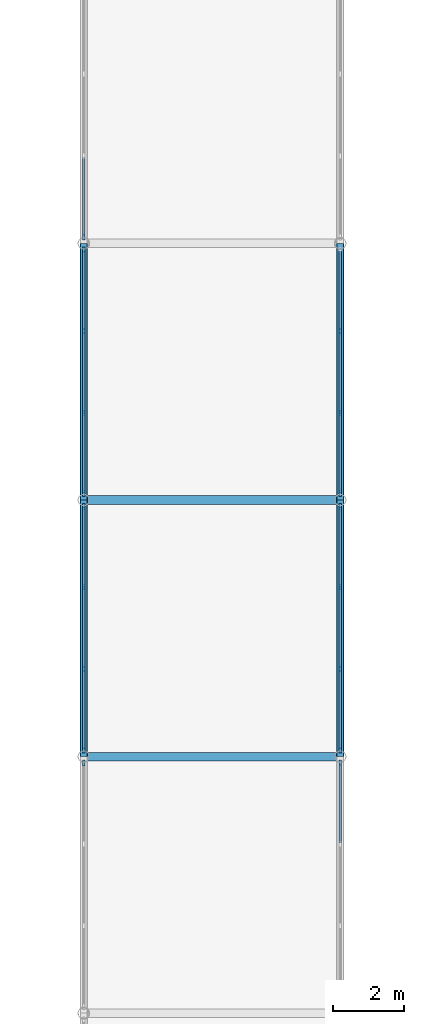
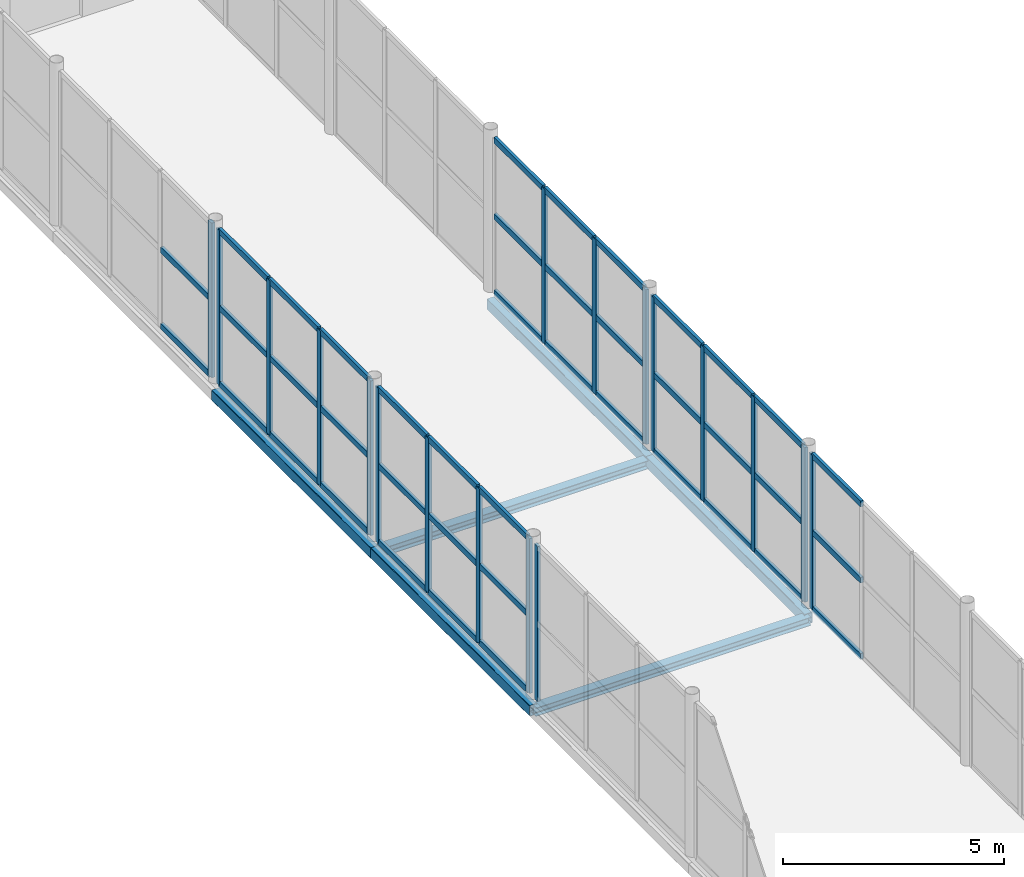
# One storey, part 36 of 92: 59 members, 6 beams, 7 elements without a shape of their own.
"""IFC4 building model written with IfcOpenShell, lengths in metres."""

import ifcopenshell
import ifcopenshell.guid

model = None  # the IFC model being written
_history = None  # IfcOwnerHistory: only IFC2X3 demands one
_inside = {}  # id of a spatial element -> (the spatial element, [elements in it])
_under = {}  # id of a project, library or spatial element -> (it, [spatial elements below it])
_declared = {}  # id of a project -> (the project, [libraries it declares])
_typed = {}  # id of a type object -> (the type object, [elements of that type])
_made_of = {}  # id of a material, layer set ... -> (it, [elements and type objects made of it])


def new_model(schema):
    """Start an empty IFC model of exactly this schema.

    Asked for "IFC4X3", IfcOpenShell would pick the latest addendum, in which some entities
    have other attributes; the version numbers below select the first issue.
    IFC2X3 requires an IfcOwnerHistory on every rooted entity: one is made here for all.
    """
    global model, _history
    if schema == "IFC4X3":
        model = ifcopenshell.file(schema_version=(4, 3, 0, 0))
    else:
        model = ifcopenshell.file(schema=schema)
    _inside.clear()
    _under.clear()
    _declared.clear()
    _typed.clear()
    _made_of.clear()
    _history = None
    if model.schema == "IFC2X3":
        org = make("IfcOrganization", Name="unknown")
        user = make(
            "IfcPersonAndOrganization",
            ThePerson=make("IfcPerson", FamilyName="unknown"),
            TheOrganization=org,
        )
        app = make(
            "IfcApplication",
            ApplicationDeveloper=org,
            Version="unknown",
            ApplicationFullName="unknown",
            ApplicationIdentifier="unknown",
        )
        _history = make(
            "IfcOwnerHistory",
            OwningUser=user,
            OwningApplication=app,
            ChangeAction="ADDED",
            CreationDate=0,
        )
    return model


def make(cls, **values):
    """One entity of the class cls with the attributes given. An attribute that is None is left unset."""
    return model.create_entity(
        cls, **{name: value for name, value in values.items() if value is not None}
    )


def rooted(cls, **values):
    """An entity with a GlobalId (a new one), such as an element, a storey or a relation."""
    return make(cls, GlobalId=ifcopenshell.guid.new(), OwnerHistory=_history, **values)


def si_unit(unit_type, name, prefix=None):
    """IfcSIUnit, for example si_unit("LENGTHUNIT", "METRE", prefix="MILLI")."""
    return make("IfcSIUnit", UnitType=unit_type, Prefix=prefix, Name=name)


def assignment(units):
    """IfcUnitAssignment: the units of a project."""
    return None if units is None else make("IfcUnitAssignment", Units=units)


def point(xyz):
    """IfcCartesianPoint."""
    return None if xyz is None else make("IfcCartesianPoint", Coordinates=xyz)


def direction(xyz):
    """IfcDirection."""
    return None if xyz is None else make("IfcDirection", DirectionRatios=xyz)


def frame(location, z_axis=None, x_axis=None):
    """IfcAxis2Placement3D, a coordinate frame: its origin and axes. An axis left out is left unset."""
    return make(
        "IfcAxis2Placement3D",
        Location=point(location),
        Axis=direction(z_axis),
        RefDirection=direction(x_axis),
    )


def frame_2d(location, x_axis=None):
    """IfcAxis2Placement2D, a coordinate frame in the plane: its origin and x axis."""
    return make(
        "IfcAxis2Placement2D", Location=point(location), RefDirection=direction(x_axis)
    )


def origin():
    """The frame at (0, 0, 0) with its axes left unset."""
    return frame((0.0, 0.0, 0.0))


def origin_2d():
    """The frame at (0, 0) in the plane with its x axis left unset."""
    return frame_2d((0.0, 0.0))


def place(relative_to, where):
    """IfcLocalPlacement: puts the frame where relative to a parent placement (None: the world)."""
    return make(
        "IfcLocalPlacement", PlacementRelTo=relative_to, RelativePlacement=where
    )


def context(
    kind, dimensions, precision=None, world=None, true_north=None, identifier=None
):
    """IfcGeometricRepresentationContext, for example the 3D "Model" context."""
    return make(
        "IfcGeometricRepresentationContext",
        ContextIdentifier=identifier,
        ContextType=kind,
        CoordinateSpaceDimension=dimensions,
        Precision=precision,
        WorldCoordinateSystem=world,
        TrueNorth=true_north,
    )


def subcontext(parent, identifier, kind, view, scale=None):
    """IfcGeometricRepresentationSubContext, for example "Body" below "Model"."""
    return make(
        "IfcGeometricRepresentationSubContext",
        ContextIdentifier=identifier,
        ContextType=kind,
        ParentContext=parent,
        TargetScale=scale,
        TargetView=view,
    )


def project(units=None, contexts=None):
    """IfcProject with its units and contexts."""
    return rooted(
        "IfcProject",
        Name="project",
        RepresentationContexts=contexts,
        UnitsInContext=assignment(units),
    )


def spatial(cls, under=None, at=None, **own):
    """A site, building, storey or space (cls), placed at a placement, below another one or the project."""
    s = rooted(cls, ObjectPlacement=at, **own)
    if under is not None:
        _under.setdefault(under.id(), (under, []))[1].append(s)
    return s


def profile(cls, at=None, kind="AREA", **sizes):
    """A parametric profile (cls). Its sizes go by their IFC names, for example OverallWidth=200.0."""
    return make(cls, ProfileType=kind, Position=at, **sizes)


def rectangle(**sizes):
    """IfcRectangleProfileDef."""
    return profile("IfcRectangleProfileDef", **sizes)


def hollow_rectangle(**sizes):
    """IfcRectangleHollowProfileDef."""
    return profile("IfcRectangleHollowProfileDef", **sizes)


def i_section(**sizes):
    """IfcIShapeProfileDef."""
    return profile("IfcIShapeProfileDef", **sizes)


def extrude(swept, where, along, depth):
    """IfcExtrudedAreaSolid: the profile swept, set in the frame where, extruded along a direction by depth."""
    return make(
        "IfcExtrudedAreaSolid",
        SweptArea=swept,
        Position=where,
        ExtrudedDirection=direction(along),
        Depth=depth,
    )


def shape(context_of_items, identifier, shape_type, items):
    """IfcShapeRepresentation: the items that make up one representation, for example the "Body"."""
    return make(
        "IfcShapeRepresentation",
        ContextOfItems=context_of_items,
        RepresentationIdentifier=identifier,
        RepresentationType=shape_type,
        Items=items,
    )


def material(Name=None, Category=None):
    """IfcMaterial."""
    return make("IfcMaterial", Name=Name, Category=Category)


def material_profile(
    of_material, cross_section, Name=None, Category=None, Priority=None
):
    """IfcMaterialProfile: a cross section and its material."""
    return make(
        "IfcMaterialProfile",
        Name=Name,
        Material=of_material,
        Profile=cross_section,
        Priority=Priority,
        Category=Category,
    )


def profile_set(profiles, Name=None, composite=None):
    """IfcMaterialProfileSet."""
    return make(
        "IfcMaterialProfileSet",
        Name=Name,
        MaterialProfiles=profiles,
        CompositeProfile=composite,
    )


def made_of(thing, what):
    """Note that an element or type object is made of a material, layer set ...; save() writes the relation."""
    if what is not None:
        _made_of.setdefault(what.id(), (what, []))[1].append(thing)
    return thing


def type_object(cls, material=None, **own):
    """A type object (cls), such as IfcWallType, which elements share."""
    return made_of(rooted(cls, **own), material)


def element(
    cls,
    number,
    at=None,
    inside=None,
    cuts=None,
    type_object=None,
    material=None,
    context=None,
    identifier="Body",
    shape_type=None,
    held_by="IfcProductDefinitionShape",
    body=None,
    shapes=None,
    **own,
):
    """One element of the class cls, such as IfcWall. Its Tag is "e" and its number.

    at: its placement. inside: the storey or other place that contains it. cuts: it is an
    opening in that element (IfcRelVoidsElement). A single representation is given by context,
    identifier, shape_type and body (its items); several are given by shapes. held_by: the class
    of the entity that holds the representations. save() writes the other relations.
    """
    e = rooted(cls, Tag="e%d" % number, ObjectPlacement=at, **own)
    if body is not None:
        shapes = [shape(context, identifier, shape_type, body)]
    if shapes is not None:
        e.Representation = make(held_by, Representations=shapes)
    if inside is not None:
        _inside.setdefault(inside.id(), (inside, []))[1].append(e)
    if cuts is not None:
        rooted(
            "IfcRelVoidsElement", RelatingBuildingElement=cuts, RelatedOpeningElement=e
        )
    if type_object is not None:
        _typed.setdefault(type_object.id(), (type_object, []))[1].append(e)
    return made_of(e, material)


def aggregate(whole, parts):
    """IfcRelAggregates: a whole, such as a stair, and the parts it consists of."""
    return rooted("IfcRelAggregates", RelatingObject=whole, RelatedObjects=parts)


def save(model, path):
    """Write the relations noted so far, then the file.

    IfcRelAggregates (storeys below a building ...), IfcRelContainedInSpatialStructure (elements
    in a storey), IfcRelDefinesByType, IfcRelAssociatesMaterial and IfcRelDeclares: one each for
    every whole, place, type object, material and project.
    """
    for whole, parts in _under.values():
        aggregate(whole, parts)
    for where, things in _inside.values():
        rooted(
            "IfcRelContainedInSpatialStructure",
            RelatedElements=things,
            RelatingStructure=where,
        )
    for kind, things in _typed.values():
        rooted("IfcRelDefinesByType", RelatedObjects=things, RelatingType=kind)
    for what, things in _made_of.values():
        rooted("IfcRelAssociatesMaterial", RelatedObjects=things, RelatingMaterial=what)
    for by, libraries in _declared.values():
        rooted("IfcRelDeclares", RelatingContext=by, RelatedDefinitions=libraries)
    model.write(path)


model = new_model("IFC4")

# Units and contexts
model_context = context("Model", 3, precision=1e-05, world=origin(), true_north=direction((0.0, 1.0)))
body_context = subcontext(model_context, "Body", "Model", "MODEL_VIEW")
ifc_project = project(units=[si_unit("LENGTHUNIT", "METRE"), si_unit("AREAUNIT", "SQUARE_METRE"), si_unit("VOLUMEUNIT", "CUBIC_METRE"), si_unit("PLANEANGLEUNIT", "RADIAN"), si_unit("MASSUNIT", "GRAM", prefix="KILO")], contexts=[model_context])

# Site, building, storey
site_placement = place(None, origin())
site = spatial("IfcSite", under=ifc_project, at=site_placement, CompositionType="ELEMENT")
building_placement = place(site_placement, origin())
building = spatial("IfcBuilding", under=site, at=building_placement, Name="Zlatovets Crest Museum", CompositionType="ELEMENT")
storey_placement = place(building_placement, origin())
storey = spatial("IfcBuildingStorey", under=building, at=storey_placement, Name="L00", CompositionType="ELEMENT", Elevation=0.0)

# Beams
ifc_material_1 = material(Name="Structural steel S355J2", Category="steel")
ifc_material_profile_1 = material_profile(ifc_material_1, i_section(OverallWidth=0.239990234375, OverallDepth=0.22998046875, WebThickness=0.007568359375, FlangeThickness=0.011962890625, FilletRadius=0.02099609375, at=origin_2d()), Name="HEA 240")
ifc_profile_set_1 = profile_set([ifc_material_profile_1], Name="Structural steel S355J2")
beam_type_1 = type_object("IfcBeamType", Name="Beam_B-06", PredefinedType="BEAM", material=ifc_profile_set_1)
for number, where, z_axis, x_axis, name in (
    (1, (79.199951171875, 57.60009765625, -0.39990234375), (1.0, 0.0, 0.0), (0.0, 1.0, 0.0), "Central Sculpture Court Cloister and Skywalk L00 Cross Beam"),
    (2, (79.199951171875, 64.800048828125, -0.39990234375), (1.0, 0.0, 0.0), (0.0, 1.0, 0.0), "Central Sculpture Court Cloister and Skywalk L00 Cross Beam"),
):
    element("IfcBeam", number, at=place(storey_placement, frame(where, z_axis=z_axis, x_axis=x_axis)), inside=storey, type_object=beam_type_1, Name=name, PredefinedType="BEAM", context=body_context, shape_type="SweptSolid", body=[
        extrude(i_section(OverallWidth=0.239990234375, OverallDepth=0.22998046875, WebThickness=0.007568359375, FlangeThickness=0.011962890625, FilletRadius=0.02099609375, at=origin_2d()), origin(), (0.0, 0.0, 1.0), 7.199951171875),
    ])
ifc_material_profile_2 = material_profile(ifc_material_1, hollow_rectangle(XDim=0.199951171875, YDim=0.300048828125, WallThickness=0.012451171875, InnerFilletRadius=0.012451171875, OuterFilletRadius=0.02490234375, at=origin_2d()), Name="RHS 200x300x12.5")
ifc_profile_set_2 = profile_set([ifc_material_profile_2], Name="Structural steel S355J2")
beam_type_2 = type_object("IfcBeamType", Name="Beam_BRG-01", PredefinedType="BEAM", material=ifc_profile_set_2)
for number, where, z_axis, x_axis, name in (
    (3, (79.199951171875, 57.60009765625, -0.39990234375), (0.0, 1.0, 0.0), (-1.0, 0.0, 0.0), "Central Sculpture Court Cloister and Skywalk L00 Stringer Beam"),
    (4, (79.199951171875, 64.800048828125, -0.39990234375), (0.0, 1.0, 0.0), (-1.0, 0.0, 0.0), "Central Sculpture Court Cloister and Skywalk L00 Stringer Beam"),
    (5, (86.39990234375, 57.60009765625, -0.39990234375), (0.0, 1.0, 0.0), (-1.0, 0.0, 0.0), "Central Sculpture Court Cloister and Skywalk L00 Stringer Beam"),
    (6, (86.39990234375, 64.800048828125, -0.39990234375), (0.0, 1.0, 0.0), (-1.0, 0.0, 0.0), "Central Sculpture Court Cloister and Skywalk L00 Stringer Beam"),
):
    element("IfcBeam", number, at=place(storey_placement, frame(where, z_axis=z_axis, x_axis=x_axis)), inside=storey, type_object=beam_type_2, Name=name, PredefinedType="BEAM", context=body_context, shape_type="SweptSolid", body=[
        extrude(hollow_rectangle(XDim=0.199951171875, YDim=0.300048828125, WallThickness=0.012451171875, InnerFilletRadius=0.012451171875, OuterFilletRadius=0.02490234375, at=origin_2d()), origin(), (0.0, 0.0, 1.0), 7.199951171875),
    ])

# Curtain wall, member
ifc_material_2 = material(Name="Bronze-anodised aluminium and low-E triple glass", Category="aluminium")
curtain_wall_type = type_object("IfcCurtainWallType", Name="CW_CW-BR5-L00-S69", PredefinedType="NOTDEFINED", material=ifc_material_2)
curtain_wall_1_placement = place(storey_placement, origin())
curtain_wall_1 = element("IfcCurtainWall", 7, at=curtain_wall_1_placement, inside=storey, type_object=curtain_wall_type, Name="Central Sculpture Court Cloister and Skywalk L00 Glazed Bridge Curtain Wall", PredefinedType="NOTDEFINED")
ifc_material_3 = material(Name="Bronze-anodised aluminium EN AW-6060", Category="aluminium")
ifc_material_profile_3 = material_profile(ifc_material_3, rectangle(XDim=0.080078125, YDim=0.159912109375, at=origin_2d()), Name="ALU 80x160")
ifc_profile_set_3 = profile_set([ifc_material_profile_3], Name="Bronze-anodised aluminium EN AW-6060")
member_type_1 = type_object("IfcMemberType", Name="CWMull_M1", PredefinedType="MULLION", material=ifc_profile_set_3)
member_1_placement = place(storey_placement, frame((79.199951171875, 57.419921875, 0.0), z_axis=(0.0, 0.0, 1.0), x_axis=(-1.0, 0.0, 0.0)))
member_1 = element("IfcMember", 8, at=member_1_placement, type_object=member_type_1, Name="CW-BR5-L00-S69 mullion 4", PredefinedType="MULLION", context=body_context, shape_type="SweptSolid", body=[
    extrude(rectangle(XDim=0.080078125, YDim=0.159912109375, at=origin_2d()), origin(), (0.0, 0.0, 1.0), 4.280029296875),
])
aggregate(curtain_wall_1, [member_1])

# Curtain wall, members
curtain_wall_2_placement = place(storey_placement, origin())
curtain_wall_2 = element("IfcCurtainWall", 9, at=curtain_wall_2_placement, inside=storey, type_object=curtain_wall_type, Name="Central Sculpture Court Cloister and Skywalk L00 Glazed Bridge Curtain Wall", PredefinedType="NOTDEFINED")
member_2_placement = place(storey_placement, frame((79.199951171875, 57.780029296875, 0.0), z_axis=(0.0, 0.0, 1.0), x_axis=(-1.0, 0.0, 0.0)))
member_2 = element("IfcMember", 10, at=member_2_placement, type_object=member_type_1, Name="CW-BR5-L00-S69 mullion 1", PredefinedType="MULLION", context=body_context, shape_type="SweptSolid", body=[
    extrude(rectangle(XDim=0.080078125, YDim=0.159912109375, at=origin_2d()), origin(), (0.0, 0.0, 1.0), 4.280029296875),
])
member_3_placement = place(storey_placement, frame((79.199951171875, 60.050048828125, 0.0), z_axis=(0.0, 0.0, 1.0), x_axis=(-1.0, 0.0, 0.0)))
member_3 = element("IfcMember", 11, at=member_3_placement, type_object=member_type_1, Name="CW-BR5-L00-S69 mullion 2", PredefinedType="MULLION", context=body_context, shape_type="SweptSolid", body=[
    extrude(rectangle(XDim=0.080078125, YDim=0.159912109375, at=origin_2d()), origin(), (0.0, 0.0, 1.0), 4.280029296875),
])
member_4_placement = place(storey_placement, frame((79.199951171875, 62.35009765625, 0.0), z_axis=(0.0, 0.0, 1.0), x_axis=(-1.0, 0.0, 0.0)))
member_4 = element("IfcMember", 12, at=member_4_placement, type_object=member_type_1, Name="CW-BR5-L00-S69 mullion 3", PredefinedType="MULLION", context=body_context, shape_type="SweptSolid", body=[
    extrude(rectangle(XDim=0.080078125, YDim=0.159912109375, at=origin_2d()), origin(), (0.0, 0.0, 1.0), 4.280029296875),
])
member_5_placement = place(storey_placement, frame((79.199951171875, 64.6201171875, 0.0), z_axis=(0.0, 0.0, 1.0), x_axis=(-1.0, 0.0, 0.0)))
member_5 = element("IfcMember", 13, at=member_5_placement, type_object=member_type_1, Name="CW-BR5-L00-S69 mullion 4", PredefinedType="MULLION", context=body_context, shape_type="SweptSolid", body=[
    extrude(rectangle(XDim=0.080078125, YDim=0.159912109375, at=origin_2d()), origin(), (0.0, 0.0, 1.0), 4.280029296875),
])

curtain_wall_3_placement = place(storey_placement, origin())
curtain_wall_3 = element("IfcCurtainWall", 14, at=curtain_wall_3_placement, inside=storey, type_object=curtain_wall_type, Name="Central Sculpture Court Cloister and Skywalk L00 Glazed Bridge Curtain Wall", PredefinedType="NOTDEFINED")
member_6_placement = place(storey_placement, frame((79.199951171875, 64.97998046875, 0.0), z_axis=(0.0, 0.0, 1.0), x_axis=(-1.0, 0.0, 0.0)))
member_6 = element("IfcMember", 15, at=member_6_placement, type_object=member_type_1, Name="CW-BR5-L00-S69 mullion 1", PredefinedType="MULLION", context=body_context, shape_type="SweptSolid", body=[
    extrude(rectangle(XDim=0.080078125, YDim=0.159912109375, at=origin_2d()), origin(), (0.0, 0.0, 1.0), 4.280029296875),
])
member_7_placement = place(storey_placement, frame((79.199951171875, 67.25, 0.0), z_axis=(0.0, 0.0, 1.0), x_axis=(-1.0, 0.0, 0.0)))
member_7 = element("IfcMember", 16, at=member_7_placement, type_object=member_type_1, Name="CW-BR5-L00-S69 mullion 2", PredefinedType="MULLION", context=body_context, shape_type="SweptSolid", body=[
    extrude(rectangle(XDim=0.080078125, YDim=0.159912109375, at=origin_2d()), origin(), (0.0, 0.0, 1.0), 4.280029296875),
])
member_8_placement = place(storey_placement, frame((79.199951171875, 69.550048828125, 0.0), z_axis=(0.0, 0.0, 1.0), x_axis=(-1.0, 0.0, 0.0)))
member_8 = element("IfcMember", 17, at=member_8_placement, type_object=member_type_1, Name="CW-BR5-L00-S69 mullion 3", PredefinedType="MULLION", context=body_context, shape_type="SweptSolid", body=[
    extrude(rectangle(XDim=0.080078125, YDim=0.159912109375, at=origin_2d()), origin(), (0.0, 0.0, 1.0), 4.280029296875),
])
member_9_placement = place(storey_placement, frame((79.199951171875, 71.820068359375, 0.0), z_axis=(0.0, 0.0, 1.0), x_axis=(-1.0, 0.0, 0.0)))
member_9 = element("IfcMember", 18, at=member_9_placement, type_object=member_type_1, Name="CW-BR5-L00-S69 mullion 4", PredefinedType="MULLION", context=body_context, shape_type="SweptSolid", body=[
    extrude(rectangle(XDim=0.080078125, YDim=0.159912109375, at=origin_2d()), origin(), (0.0, 0.0, 1.0), 4.280029296875),
])

# Curtain wall, member
curtain_wall_4_placement = place(storey_placement, origin())
curtain_wall_4 = element("IfcCurtainWall", 19, at=curtain_wall_4_placement, inside=storey, type_object=curtain_wall_type, Name="Central Sculpture Court Cloister and Skywalk L00 Glazed Bridge Curtain Wall", PredefinedType="NOTDEFINED")
member_10_placement = place(storey_placement, frame((79.199951171875, 72.179931640625, 0.0), z_axis=(0.0, 0.0, 1.0), x_axis=(-1.0, 0.0, 0.0)))
member_10 = element("IfcMember", 20, at=member_10_placement, type_object=member_type_1, Name="CW-BR5-L00-S69 mullion 1", PredefinedType="MULLION", context=body_context, shape_type="SweptSolid", body=[
    extrude(rectangle(XDim=0.080078125, YDim=0.159912109375, at=origin_2d()), origin(), (0.0, 0.0, 1.0), 4.280029296875),
])

curtain_wall_5_placement = place(storey_placement, origin())
curtain_wall_5 = element("IfcCurtainWall", 21, at=curtain_wall_5_placement, inside=storey, type_object=curtain_wall_type, Name="Central Sculpture Court Cloister and Skywalk L00 Glazed Bridge Curtain Wall", PredefinedType="NOTDEFINED")
member_11_placement = place(storey_placement, frame((86.39990234375, 57.419921875, 0.0), z_axis=(0.0, 0.0, 1.0), x_axis=(-1.0, 0.0, 0.0)))
member_11 = element("IfcMember", 22, at=member_11_placement, type_object=member_type_1, Name="CW-BR5-L00-S69 mullion 4", PredefinedType="MULLION", context=body_context, shape_type="SweptSolid", body=[
    extrude(rectangle(XDim=0.080078125, YDim=0.159912109375, at=origin_2d()), origin(), (0.0, 0.0, 1.0), 4.280029296875),
])

# Curtain wall, members
curtain_wall_6_placement = place(storey_placement, origin())
curtain_wall_6 = element("IfcCurtainWall", 23, at=curtain_wall_6_placement, inside=storey, type_object=curtain_wall_type, Name="Central Sculpture Court Cloister and Skywalk L00 Glazed Bridge Curtain Wall", PredefinedType="NOTDEFINED")
member_12_placement = place(storey_placement, frame((86.39990234375, 57.780029296875, 0.0), z_axis=(0.0, 0.0, 1.0), x_axis=(-1.0, 0.0, 0.0)))
member_12 = element("IfcMember", 24, at=member_12_placement, type_object=member_type_1, Name="CW-BR5-L00-S69 mullion 1", PredefinedType="MULLION", context=body_context, shape_type="SweptSolid", body=[
    extrude(rectangle(XDim=0.080078125, YDim=0.159912109375, at=origin_2d()), origin(), (0.0, 0.0, 1.0), 4.280029296875),
])
member_13_placement = place(storey_placement, frame((86.39990234375, 60.050048828125, 0.0), z_axis=(0.0, 0.0, 1.0), x_axis=(-1.0, 0.0, 0.0)))
member_13 = element("IfcMember", 25, at=member_13_placement, type_object=member_type_1, Name="CW-BR5-L00-S69 mullion 2", PredefinedType="MULLION", context=body_context, shape_type="SweptSolid", body=[
    extrude(rectangle(XDim=0.080078125, YDim=0.159912109375, at=origin_2d()), origin(), (0.0, 0.0, 1.0), 4.280029296875),
])
member_14_placement = place(storey_placement, frame((86.39990234375, 62.35009765625, 0.0), z_axis=(0.0, 0.0, 1.0), x_axis=(-1.0, 0.0, 0.0)))
member_14 = element("IfcMember", 26, at=member_14_placement, type_object=member_type_1, Name="CW-BR5-L00-S69 mullion 3", PredefinedType="MULLION", context=body_context, shape_type="SweptSolid", body=[
    extrude(rectangle(XDim=0.080078125, YDim=0.159912109375, at=origin_2d()), origin(), (0.0, 0.0, 1.0), 4.280029296875),
])
member_15_placement = place(storey_placement, frame((86.39990234375, 64.6201171875, 0.0), z_axis=(0.0, 0.0, 1.0), x_axis=(-1.0, 0.0, 0.0)))
member_15 = element("IfcMember", 27, at=member_15_placement, type_object=member_type_1, Name="CW-BR5-L00-S69 mullion 4", PredefinedType="MULLION", context=body_context, shape_type="SweptSolid", body=[
    extrude(rectangle(XDim=0.080078125, YDim=0.159912109375, at=origin_2d()), origin(), (0.0, 0.0, 1.0), 4.280029296875),
])

curtain_wall_7_placement = place(storey_placement, origin())
curtain_wall_7 = element("IfcCurtainWall", 28, at=curtain_wall_7_placement, inside=storey, type_object=curtain_wall_type, Name="Central Sculpture Court Cloister and Skywalk L00 Glazed Bridge Curtain Wall", PredefinedType="NOTDEFINED")
member_16_placement = place(storey_placement, frame((86.39990234375, 64.97998046875, 0.0), z_axis=(0.0, 0.0, 1.0), x_axis=(-1.0, 0.0, 0.0)))
member_16 = element("IfcMember", 29, at=member_16_placement, type_object=member_type_1, Name="CW-BR5-L00-S69 mullion 1", PredefinedType="MULLION", context=body_context, shape_type="SweptSolid", body=[
    extrude(rectangle(XDim=0.080078125, YDim=0.159912109375, at=origin_2d()), origin(), (0.0, 0.0, 1.0), 4.280029296875),
])
member_17_placement = place(storey_placement, frame((86.39990234375, 67.25, 0.0), z_axis=(0.0, 0.0, 1.0), x_axis=(-1.0, 0.0, 0.0)))
member_17 = element("IfcMember", 30, at=member_17_placement, type_object=member_type_1, Name="CW-BR5-L00-S69 mullion 2", PredefinedType="MULLION", context=body_context, shape_type="SweptSolid", body=[
    extrude(rectangle(XDim=0.080078125, YDim=0.159912109375, at=origin_2d()), origin(), (0.0, 0.0, 1.0), 4.280029296875),
])
member_18_placement = place(storey_placement, frame((86.39990234375, 69.550048828125, 0.0), z_axis=(0.0, 0.0, 1.0), x_axis=(-1.0, 0.0, 0.0)))
member_18 = element("IfcMember", 31, at=member_18_placement, type_object=member_type_1, Name="CW-BR5-L00-S69 mullion 3", PredefinedType="MULLION", context=body_context, shape_type="SweptSolid", body=[
    extrude(rectangle(XDim=0.080078125, YDim=0.159912109375, at=origin_2d()), origin(), (0.0, 0.0, 1.0), 4.280029296875),
])

# Member
ifc_material_profile_4 = material_profile(ifc_material_3, rectangle(XDim=0.080078125, YDim=0.159912109375, at=origin_2d()), Name="ALU 80x160")
ifc_profile_set_4 = profile_set([ifc_material_profile_4], Name="Bronze-anodised aluminium EN AW-6060")
member_type_2 = type_object("IfcMemberType", Name="CWTrans_T1", PredefinedType="USERDEFINED", material=ifc_profile_set_4)
member_19_placement = place(storey_placement, frame((79.199951171875, 57.81005859375, 0.030029296875), z_axis=(0.0, 1.0, 0.0), x_axis=(-1.0, 0.0, 0.0)))
member_19 = element("IfcMember", 32, at=member_19_placement, type_object=member_type_2, Name="CW-BR5-L00-S69 transom 1.1", ObjectType="TRANSOM", PredefinedType="USERDEFINED", context=body_context, shape_type="SweptSolid", body=[
    extrude(rectangle(XDim=0.080078125, YDim=0.159912109375, at=origin_2d()), origin(), (0.0, 0.0, 1.0), 2.2099609375),
])

member_20_placement = place(storey_placement, frame((79.199951171875, 57.81005859375, 2.139892578125), z_axis=(0.0, 1.0, 0.0), x_axis=(-1.0, 0.0, 0.0)))
member_20 = element("IfcMember", 33, at=member_20_placement, type_object=member_type_2, Name="CW-BR5-L00-S69 transom 1.2", ObjectType="TRANSOM", PredefinedType="USERDEFINED", context=body_context, shape_type="SweptSolid", body=[
    extrude(rectangle(XDim=0.080078125, YDim=0.159912109375, at=origin_2d()), origin(), (0.0, 0.0, 1.0), 2.2099609375),
])

member_21_placement = place(storey_placement, frame((79.199951171875, 57.81005859375, 4.25), z_axis=(0.0, 1.0, 0.0), x_axis=(-1.0, 0.0, 0.0)))
member_21 = element("IfcMember", 34, at=member_21_placement, type_object=member_type_2, Name="CW-BR5-L00-S69 transom 1.3", ObjectType="TRANSOM", PredefinedType="USERDEFINED", context=body_context, shape_type="SweptSolid", body=[
    extrude(rectangle(XDim=0.080078125, YDim=0.159912109375, at=origin_2d()), origin(), (0.0, 0.0, 1.0), 2.2099609375),
])

member_22_placement = place(storey_placement, frame((79.199951171875, 60.080078125, 0.030029296875), z_axis=(0.0, 1.0, 0.0), x_axis=(-1.0, 0.0, 0.0)))
member_22 = element("IfcMember", 35, at=member_22_placement, type_object=member_type_2, Name="CW-BR5-L00-S69 transom 2.1", ObjectType="TRANSOM", PredefinedType="USERDEFINED", context=body_context, shape_type="SweptSolid", body=[
    extrude(rectangle(XDim=0.080078125, YDim=0.159912109375, at=origin_2d()), origin(), (0.0, 0.0, 1.0), 2.239990234375),
])

member_23_placement = place(storey_placement, frame((79.199951171875, 60.080078125, 2.139892578125), z_axis=(0.0, 1.0, 0.0), x_axis=(-1.0, 0.0, 0.0)))
member_23 = element("IfcMember", 36, at=member_23_placement, type_object=member_type_2, Name="CW-BR5-L00-S69 transom 2.2", ObjectType="TRANSOM", PredefinedType="USERDEFINED", context=body_context, shape_type="SweptSolid", body=[
    extrude(rectangle(XDim=0.080078125, YDim=0.159912109375, at=origin_2d()), origin(), (0.0, 0.0, 1.0), 2.239990234375),
])

member_24_placement = place(storey_placement, frame((79.199951171875, 60.080078125, 4.25), z_axis=(0.0, 1.0, 0.0), x_axis=(-1.0, 0.0, 0.0)))
member_24 = element("IfcMember", 37, at=member_24_placement, type_object=member_type_2, Name="CW-BR5-L00-S69 transom 2.3", ObjectType="TRANSOM", PredefinedType="USERDEFINED", context=body_context, shape_type="SweptSolid", body=[
    extrude(rectangle(XDim=0.080078125, YDim=0.159912109375, at=origin_2d()), origin(), (0.0, 0.0, 1.0), 2.239990234375),
])

member_25_placement = place(storey_placement, frame((79.199951171875, 62.3798828125, 0.030029296875), z_axis=(0.0, 1.0, 0.0), x_axis=(-1.0, 0.0, 0.0)))
member_25 = element("IfcMember", 38, at=member_25_placement, type_object=member_type_2, Name="CW-BR5-L00-S69 transom 3.1", ObjectType="TRANSOM", PredefinedType="USERDEFINED", context=body_context, shape_type="SweptSolid", body=[
    extrude(rectangle(XDim=0.080078125, YDim=0.159912109375, at=origin_2d()), origin(), (0.0, 0.0, 1.0), 2.210205078125),
])

member_26_placement = place(storey_placement, frame((79.199951171875, 62.3798828125, 2.139892578125), z_axis=(0.0, 1.0, 0.0), x_axis=(-1.0, 0.0, 0.0)))
member_26 = element("IfcMember", 39, at=member_26_placement, type_object=member_type_2, Name="CW-BR5-L00-S69 transom 3.2", ObjectType="TRANSOM", PredefinedType="USERDEFINED", context=body_context, shape_type="SweptSolid", body=[
    extrude(rectangle(XDim=0.080078125, YDim=0.159912109375, at=origin_2d()), origin(), (0.0, 0.0, 1.0), 2.210205078125),
])

member_27_placement = place(storey_placement, frame((79.199951171875, 62.3798828125, 4.25), z_axis=(0.0, 1.0, 0.0), x_axis=(-1.0, 0.0, 0.0)))
member_27 = element("IfcMember", 40, at=member_27_placement, type_object=member_type_2, Name="CW-BR5-L00-S69 transom 3.3", ObjectType="TRANSOM", PredefinedType="USERDEFINED", context=body_context, shape_type="SweptSolid", body=[
    extrude(rectangle(XDim=0.080078125, YDim=0.159912109375, at=origin_2d()), origin(), (0.0, 0.0, 1.0), 2.210205078125),
])

aggregate(curtain_wall_2, [member_2, member_3, member_4, member_5, member_19, member_20, member_21, member_22, member_23, member_24, member_25, member_26, member_27])

member_28_placement = place(storey_placement, frame((79.199951171875, 65.010009765625, 0.030029296875), z_axis=(0.0, 1.0, 0.0), x_axis=(-1.0, 0.0, 0.0)))
member_28 = element("IfcMember", 41, at=member_28_placement, type_object=member_type_2, Name="CW-BR5-L00-S69 transom 1.1", ObjectType="TRANSOM", PredefinedType="USERDEFINED", context=body_context, shape_type="SweptSolid", body=[
    extrude(rectangle(XDim=0.080078125, YDim=0.159912109375, at=origin_2d()), origin(), (0.0, 0.0, 1.0), 2.2099609375),
])

member_29_placement = place(storey_placement, frame((79.199951171875, 65.010009765625, 2.139892578125), z_axis=(0.0, 1.0, 0.0), x_axis=(-1.0, 0.0, 0.0)))
member_29 = element("IfcMember", 42, at=member_29_placement, type_object=member_type_2, Name="CW-BR5-L00-S69 transom 1.2", ObjectType="TRANSOM", PredefinedType="USERDEFINED", context=body_context, shape_type="SweptSolid", body=[
    extrude(rectangle(XDim=0.080078125, YDim=0.159912109375, at=origin_2d()), origin(), (0.0, 0.0, 1.0), 2.2099609375),
])

member_30_placement = place(storey_placement, frame((79.199951171875, 65.010009765625, 4.25), z_axis=(0.0, 1.0, 0.0), x_axis=(-1.0, 0.0, 0.0)))
member_30 = element("IfcMember", 43, at=member_30_placement, type_object=member_type_2, Name="CW-BR5-L00-S69 transom 1.3", ObjectType="TRANSOM", PredefinedType="USERDEFINED", context=body_context, shape_type="SweptSolid", body=[
    extrude(rectangle(XDim=0.080078125, YDim=0.159912109375, at=origin_2d()), origin(), (0.0, 0.0, 1.0), 2.2099609375),
])

member_31_placement = place(storey_placement, frame((79.199951171875, 67.280029296875, 0.030029296875), z_axis=(0.0, 1.0, 0.0), x_axis=(-1.0, 0.0, 0.0)))
member_31 = element("IfcMember", 44, at=member_31_placement, type_object=member_type_2, Name="CW-BR5-L00-S69 transom 2.1", ObjectType="TRANSOM", PredefinedType="USERDEFINED", context=body_context, shape_type="SweptSolid", body=[
    extrude(rectangle(XDim=0.080078125, YDim=0.159912109375, at=origin_2d()), origin(), (0.0, 0.0, 1.0), 2.239990234375),
])

member_32_placement = place(storey_placement, frame((79.199951171875, 67.280029296875, 2.139892578125), z_axis=(0.0, 1.0, 0.0), x_axis=(-1.0, 0.0, 0.0)))
member_32 = element("IfcMember", 45, at=member_32_placement, type_object=member_type_2, Name="CW-BR5-L00-S69 transom 2.2", ObjectType="TRANSOM", PredefinedType="USERDEFINED", context=body_context, shape_type="SweptSolid", body=[
    extrude(rectangle(XDim=0.080078125, YDim=0.159912109375, at=origin_2d()), origin(), (0.0, 0.0, 1.0), 2.239990234375),
])

member_33_placement = place(storey_placement, frame((79.199951171875, 67.280029296875, 4.25), z_axis=(0.0, 1.0, 0.0), x_axis=(-1.0, 0.0, 0.0)))
member_33 = element("IfcMember", 46, at=member_33_placement, type_object=member_type_2, Name="CW-BR5-L00-S69 transom 2.3", ObjectType="TRANSOM", PredefinedType="USERDEFINED", context=body_context, shape_type="SweptSolid", body=[
    extrude(rectangle(XDim=0.080078125, YDim=0.159912109375, at=origin_2d()), origin(), (0.0, 0.0, 1.0), 2.239990234375),
])

member_34_placement = place(storey_placement, frame((79.199951171875, 69.580078125, 0.030029296875), z_axis=(0.0, 1.0, 0.0), x_axis=(-1.0, 0.0, 0.0)))
member_34 = element("IfcMember", 47, at=member_34_placement, type_object=member_type_2, Name="CW-BR5-L00-S69 transom 3.1", ObjectType="TRANSOM", PredefinedType="USERDEFINED", context=body_context, shape_type="SweptSolid", body=[
    extrude(rectangle(XDim=0.080078125, YDim=0.159912109375, at=origin_2d()), origin(), (0.0, 0.0, 1.0), 2.2099609375),
])

member_35_placement = place(storey_placement, frame((79.199951171875, 69.580078125, 2.139892578125), z_axis=(0.0, 1.0, 0.0), x_axis=(-1.0, 0.0, 0.0)))
member_35 = element("IfcMember", 48, at=member_35_placement, type_object=member_type_2, Name="CW-BR5-L00-S69 transom 3.2", ObjectType="TRANSOM", PredefinedType="USERDEFINED", context=body_context, shape_type="SweptSolid", body=[
    extrude(rectangle(XDim=0.080078125, YDim=0.159912109375, at=origin_2d()), origin(), (0.0, 0.0, 1.0), 2.2099609375),
])

member_36_placement = place(storey_placement, frame((79.199951171875, 69.580078125, 4.25), z_axis=(0.0, 1.0, 0.0), x_axis=(-1.0, 0.0, 0.0)))
member_36 = element("IfcMember", 49, at=member_36_placement, type_object=member_type_2, Name="CW-BR5-L00-S69 transom 3.3", ObjectType="TRANSOM", PredefinedType="USERDEFINED", context=body_context, shape_type="SweptSolid", body=[
    extrude(rectangle(XDim=0.080078125, YDim=0.159912109375, at=origin_2d()), origin(), (0.0, 0.0, 1.0), 2.2099609375),
])

aggregate(curtain_wall_3, [member_6, member_7, member_8, member_9, member_28, member_29, member_30, member_31, member_32, member_33, member_34, member_35, member_36])

member_37_placement = place(storey_placement, frame((79.199951171875, 72.2099609375, 0.030029296875), z_axis=(0.0, 1.0, 0.0), x_axis=(-1.0, 0.0, 0.0)))
member_37 = element("IfcMember", 50, at=member_37_placement, type_object=member_type_2, Name="CW-BR5-L00-S69 transom 1.1", ObjectType="TRANSOM", PredefinedType="USERDEFINED", context=body_context, shape_type="SweptSolid", body=[
    extrude(rectangle(XDim=0.080078125, YDim=0.159912109375, at=origin_2d()), origin(), (0.0, 0.0, 1.0), 2.2099609375),
])

member_38_placement = place(storey_placement, frame((79.199951171875, 72.2099609375, 2.139892578125), z_axis=(0.0, 1.0, 0.0), x_axis=(-1.0, 0.0, 0.0)))
member_38 = element("IfcMember", 51, at=member_38_placement, type_object=member_type_2, Name="CW-BR5-L00-S69 transom 1.2", ObjectType="TRANSOM", PredefinedType="USERDEFINED", context=body_context, shape_type="SweptSolid", body=[
    extrude(rectangle(XDim=0.080078125, YDim=0.159912109375, at=origin_2d()), origin(), (0.0, 0.0, 1.0), 2.2099609375),
])

aggregate(curtain_wall_4, [member_10, member_37, member_38])

member_39_placement = place(storey_placement, frame((86.39990234375, 55.179931640625, 0.030029296875), z_axis=(0.0, 1.0, 0.0), x_axis=(-1.0, 0.0, 0.0)))
member_39 = element("IfcMember", 52, at=member_39_placement, type_object=member_type_2, Name="CW-BR5-L00-S69 transom 3.1", ObjectType="TRANSOM", PredefinedType="USERDEFINED", context=body_context, shape_type="SweptSolid", body=[
    extrude(rectangle(XDim=0.080078125, YDim=0.159912109375, at=origin_2d()), origin(), (0.0, 0.0, 1.0), 2.2099609375),
])

member_40_placement = place(storey_placement, frame((86.39990234375, 55.179931640625, 2.139892578125), z_axis=(0.0, 1.0, 0.0), x_axis=(-1.0, 0.0, 0.0)))
member_40 = element("IfcMember", 53, at=member_40_placement, type_object=member_type_2, Name="CW-BR5-L00-S69 transom 3.2", ObjectType="TRANSOM", PredefinedType="USERDEFINED", context=body_context, shape_type="SweptSolid", body=[
    extrude(rectangle(XDim=0.080078125, YDim=0.159912109375, at=origin_2d()), origin(), (0.0, 0.0, 1.0), 2.2099609375),
])

member_41_placement = place(storey_placement, frame((86.39990234375, 55.179931640625, 4.25), z_axis=(0.0, 1.0, 0.0), x_axis=(-1.0, 0.0, 0.0)))
member_41 = element("IfcMember", 54, at=member_41_placement, type_object=member_type_2, Name="CW-BR5-L00-S69 transom 3.3", ObjectType="TRANSOM", PredefinedType="USERDEFINED", context=body_context, shape_type="SweptSolid", body=[
    extrude(rectangle(XDim=0.080078125, YDim=0.159912109375, at=origin_2d()), origin(), (0.0, 0.0, 1.0), 2.2099609375),
])

aggregate(curtain_wall_5, [member_11, member_39, member_40, member_41])

member_42_placement = place(storey_placement, frame((86.39990234375, 57.81005859375, 0.030029296875), z_axis=(0.0, 1.0, 0.0), x_axis=(-1.0, 0.0, 0.0)))
member_42 = element("IfcMember", 55, at=member_42_placement, type_object=member_type_2, Name="CW-BR5-L00-S69 transom 1.1", ObjectType="TRANSOM", PredefinedType="USERDEFINED", context=body_context, shape_type="SweptSolid", body=[
    extrude(rectangle(XDim=0.080078125, YDim=0.159912109375, at=origin_2d()), origin(), (0.0, 0.0, 1.0), 2.2099609375),
])

member_43_placement = place(storey_placement, frame((86.39990234375, 57.81005859375, 2.139892578125), z_axis=(0.0, 1.0, 0.0), x_axis=(-1.0, 0.0, 0.0)))
member_43 = element("IfcMember", 56, at=member_43_placement, type_object=member_type_2, Name="CW-BR5-L00-S69 transom 1.2", ObjectType="TRANSOM", PredefinedType="USERDEFINED", context=body_context, shape_type="SweptSolid", body=[
    extrude(rectangle(XDim=0.080078125, YDim=0.159912109375, at=origin_2d()), origin(), (0.0, 0.0, 1.0), 2.2099609375),
])

member_44_placement = place(storey_placement, frame((86.39990234375, 57.81005859375, 4.25), z_axis=(0.0, 1.0, 0.0), x_axis=(-1.0, 0.0, 0.0)))
member_44 = element("IfcMember", 57, at=member_44_placement, type_object=member_type_2, Name="CW-BR5-L00-S69 transom 1.3", ObjectType="TRANSOM", PredefinedType="USERDEFINED", context=body_context, shape_type="SweptSolid", body=[
    extrude(rectangle(XDim=0.080078125, YDim=0.159912109375, at=origin_2d()), origin(), (0.0, 0.0, 1.0), 2.2099609375),
])

member_45_placement = place(storey_placement, frame((86.39990234375, 60.080078125, 0.030029296875), z_axis=(0.0, 1.0, 0.0), x_axis=(-1.0, 0.0, 0.0)))
member_45 = element("IfcMember", 58, at=member_45_placement, type_object=member_type_2, Name="CW-BR5-L00-S69 transom 2.1", ObjectType="TRANSOM", PredefinedType="USERDEFINED", context=body_context, shape_type="SweptSolid", body=[
    extrude(rectangle(XDim=0.080078125, YDim=0.159912109375, at=origin_2d()), origin(), (0.0, 0.0, 1.0), 2.239990234375),
])

member_46_placement = place(storey_placement, frame((86.39990234375, 60.080078125, 2.139892578125), z_axis=(0.0, 1.0, 0.0), x_axis=(-1.0, 0.0, 0.0)))
member_46 = element("IfcMember", 59, at=member_46_placement, type_object=member_type_2, Name="CW-BR5-L00-S69 transom 2.2", ObjectType="TRANSOM", PredefinedType="USERDEFINED", context=body_context, shape_type="SweptSolid", body=[
    extrude(rectangle(XDim=0.080078125, YDim=0.159912109375, at=origin_2d()), origin(), (0.0, 0.0, 1.0), 2.239990234375),
])

member_47_placement = place(storey_placement, frame((86.39990234375, 60.080078125, 4.25), z_axis=(0.0, 1.0, 0.0), x_axis=(-1.0, 0.0, 0.0)))
member_47 = element("IfcMember", 60, at=member_47_placement, type_object=member_type_2, Name="CW-BR5-L00-S69 transom 2.3", ObjectType="TRANSOM", PredefinedType="USERDEFINED", context=body_context, shape_type="SweptSolid", body=[
    extrude(rectangle(XDim=0.080078125, YDim=0.159912109375, at=origin_2d()), origin(), (0.0, 0.0, 1.0), 2.239990234375),
])

member_48_placement = place(storey_placement, frame((86.39990234375, 62.3798828125, 0.030029296875), z_axis=(0.0, 1.0, 0.0), x_axis=(-1.0, 0.0, 0.0)))
member_48 = element("IfcMember", 61, at=member_48_placement, type_object=member_type_2, Name="CW-BR5-L00-S69 transom 3.1", ObjectType="TRANSOM", PredefinedType="USERDEFINED", context=body_context, shape_type="SweptSolid", body=[
    extrude(rectangle(XDim=0.080078125, YDim=0.159912109375, at=origin_2d()), origin(), (0.0, 0.0, 1.0), 2.210205078125),
])

member_49_placement = place(storey_placement, frame((86.39990234375, 62.3798828125, 2.139892578125), z_axis=(0.0, 1.0, 0.0), x_axis=(-1.0, 0.0, 0.0)))
member_49 = element("IfcMember", 62, at=member_49_placement, type_object=member_type_2, Name="CW-BR5-L00-S69 transom 3.2", ObjectType="TRANSOM", PredefinedType="USERDEFINED", context=body_context, shape_type="SweptSolid", body=[
    extrude(rectangle(XDim=0.080078125, YDim=0.159912109375, at=origin_2d()), origin(), (0.0, 0.0, 1.0), 2.210205078125),
])

member_50_placement = place(storey_placement, frame((86.39990234375, 62.3798828125, 4.25), z_axis=(0.0, 1.0, 0.0), x_axis=(-1.0, 0.0, 0.0)))
member_50 = element("IfcMember", 63, at=member_50_placement, type_object=member_type_2, Name="CW-BR5-L00-S69 transom 3.3", ObjectType="TRANSOM", PredefinedType="USERDEFINED", context=body_context, shape_type="SweptSolid", body=[
    extrude(rectangle(XDim=0.080078125, YDim=0.159912109375, at=origin_2d()), origin(), (0.0, 0.0, 1.0), 2.210205078125),
])

aggregate(curtain_wall_6, [member_12, member_13, member_14, member_15, member_42, member_43, member_44, member_45, member_46, member_47, member_48, member_49, member_50])

member_51_placement = place(storey_placement, frame((86.39990234375, 65.010009765625, 0.030029296875), z_axis=(0.0, 1.0, 0.0), x_axis=(-1.0, 0.0, 0.0)))
member_51 = element("IfcMember", 64, at=member_51_placement, type_object=member_type_2, Name="CW-BR5-L00-S69 transom 1.1", ObjectType="TRANSOM", PredefinedType="USERDEFINED", context=body_context, shape_type="SweptSolid", body=[
    extrude(rectangle(XDim=0.080078125, YDim=0.159912109375, at=origin_2d()), origin(), (0.0, 0.0, 1.0), 2.2099609375),
])

member_52_placement = place(storey_placement, frame((86.39990234375, 65.010009765625, 2.139892578125), z_axis=(0.0, 1.0, 0.0), x_axis=(-1.0, 0.0, 0.0)))
member_52 = element("IfcMember", 65, at=member_52_placement, type_object=member_type_2, Name="CW-BR5-L00-S69 transom 1.2", ObjectType="TRANSOM", PredefinedType="USERDEFINED", context=body_context, shape_type="SweptSolid", body=[
    extrude(rectangle(XDim=0.080078125, YDim=0.159912109375, at=origin_2d()), origin(), (0.0, 0.0, 1.0), 2.2099609375),
])

member_53_placement = place(storey_placement, frame((86.39990234375, 65.010009765625, 4.25), z_axis=(0.0, 1.0, 0.0), x_axis=(-1.0, 0.0, 0.0)))
member_53 = element("IfcMember", 66, at=member_53_placement, type_object=member_type_2, Name="CW-BR5-L00-S69 transom 1.3", ObjectType="TRANSOM", PredefinedType="USERDEFINED", context=body_context, shape_type="SweptSolid", body=[
    extrude(rectangle(XDim=0.080078125, YDim=0.159912109375, at=origin_2d()), origin(), (0.0, 0.0, 1.0), 2.2099609375),
])

member_54_placement = place(storey_placement, frame((86.39990234375, 67.280029296875, 0.030029296875), z_axis=(0.0, 1.0, 0.0), x_axis=(-1.0, 0.0, 0.0)))
member_54 = element("IfcMember", 67, at=member_54_placement, type_object=member_type_2, Name="CW-BR5-L00-S69 transom 2.1", ObjectType="TRANSOM", PredefinedType="USERDEFINED", context=body_context, shape_type="SweptSolid", body=[
    extrude(rectangle(XDim=0.080078125, YDim=0.159912109375, at=origin_2d()), origin(), (0.0, 0.0, 1.0), 2.239990234375),
])

member_55_placement = place(storey_placement, frame((86.39990234375, 67.280029296875, 2.139892578125), z_axis=(0.0, 1.0, 0.0), x_axis=(-1.0, 0.0, 0.0)))
member_55 = element("IfcMember", 68, at=member_55_placement, type_object=member_type_2, Name="CW-BR5-L00-S69 transom 2.2", ObjectType="TRANSOM", PredefinedType="USERDEFINED", context=body_context, shape_type="SweptSolid", body=[
    extrude(rectangle(XDim=0.080078125, YDim=0.159912109375, at=origin_2d()), origin(), (0.0, 0.0, 1.0), 2.239990234375),
])

member_56_placement = place(storey_placement, frame((86.39990234375, 67.280029296875, 4.25), z_axis=(0.0, 1.0, 0.0), x_axis=(-1.0, 0.0, 0.0)))
member_56 = element("IfcMember", 69, at=member_56_placement, type_object=member_type_2, Name="CW-BR5-L00-S69 transom 2.3", ObjectType="TRANSOM", PredefinedType="USERDEFINED", context=body_context, shape_type="SweptSolid", body=[
    extrude(rectangle(XDim=0.080078125, YDim=0.159912109375, at=origin_2d()), origin(), (0.0, 0.0, 1.0), 2.239990234375),
])

member_57_placement = place(storey_placement, frame((86.39990234375, 69.580078125, 0.030029296875), z_axis=(0.0, 1.0, 0.0), x_axis=(-1.0, 0.0, 0.0)))
member_57 = element("IfcMember", 70, at=member_57_placement, type_object=member_type_2, Name="CW-BR5-L00-S69 transom 3.1", ObjectType="TRANSOM", PredefinedType="USERDEFINED", context=body_context, shape_type="SweptSolid", body=[
    extrude(rectangle(XDim=0.080078125, YDim=0.159912109375, at=origin_2d()), origin(), (0.0, 0.0, 1.0), 2.2099609375),
])

member_58_placement = place(storey_placement, frame((86.39990234375, 69.580078125, 2.139892578125), z_axis=(0.0, 1.0, 0.0), x_axis=(-1.0, 0.0, 0.0)))
member_58 = element("IfcMember", 71, at=member_58_placement, type_object=member_type_2, Name="CW-BR5-L00-S69 transom 3.2", ObjectType="TRANSOM", PredefinedType="USERDEFINED", context=body_context, shape_type="SweptSolid", body=[
    extrude(rectangle(XDim=0.080078125, YDim=0.159912109375, at=origin_2d()), origin(), (0.0, 0.0, 1.0), 2.2099609375),
])

member_59_placement = place(storey_placement, frame((86.39990234375, 69.580078125, 4.25), z_axis=(0.0, 1.0, 0.0), x_axis=(-1.0, 0.0, 0.0)))
member_59 = element("IfcMember", 72, at=member_59_placement, type_object=member_type_2, Name="CW-BR5-L00-S69 transom 3.3", ObjectType="TRANSOM", PredefinedType="USERDEFINED", context=body_context, shape_type="SweptSolid", body=[
    extrude(rectangle(XDim=0.080078125, YDim=0.159912109375, at=origin_2d()), origin(), (0.0, 0.0, 1.0), 2.2099609375),
])

aggregate(curtain_wall_7, [member_16, member_17, member_18, member_51, member_52, member_53, member_54, member_55, member_56, member_57, member_58, member_59])

save(model, "model.ifc")
